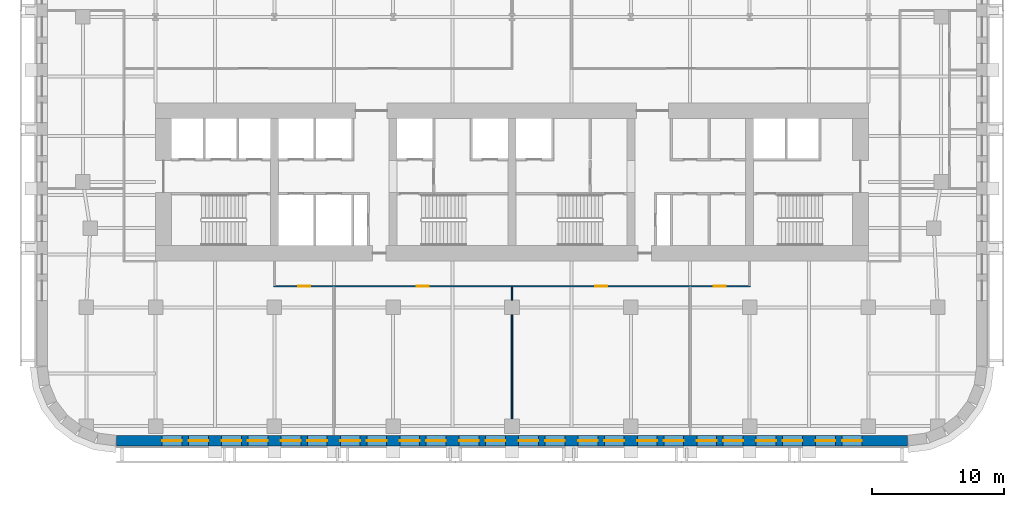
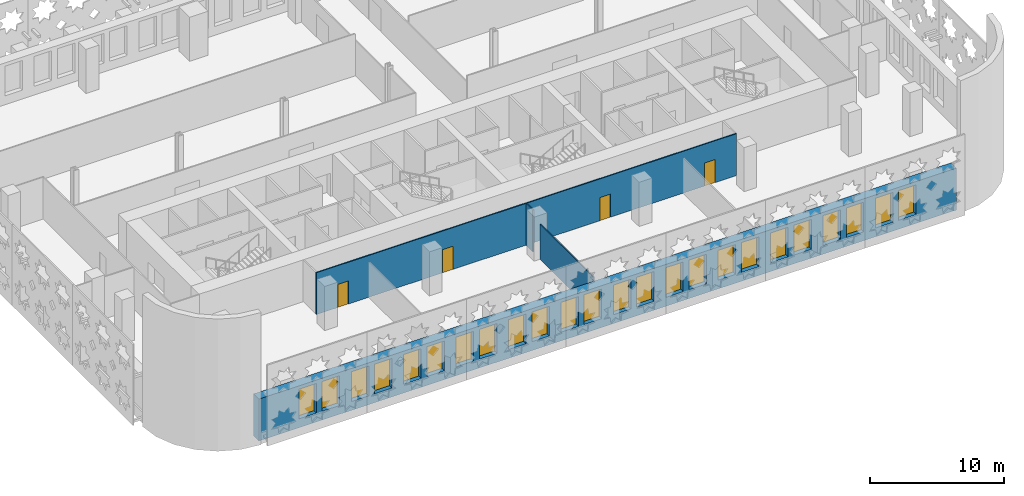
# One storey, part 5 of 15: 24 windows, 4 doors, 4 walls, 28 openings.
"""IFC4 building model written with IfcOpenShell, lengths in metres."""

from ifc_helpers import new_model, si_unit, direction, frame, frame_2d, origin, place, context, subcontext, project, spatial, rectangle, extrude, material, layer, layer_set, type_object, element, fill, save


model = new_model("IFC4")

# Units and contexts
model_context = context("Model", 3, precision=1e-05, world=origin(), true_north=direction((0.0, 1.0)))
body_context = subcontext(model_context, "Body", "Model", "MODEL_VIEW")
ifc_project = project(units=[si_unit("LENGTHUNIT", "METRE"), si_unit("AREAUNIT", "SQUARE_METRE"), si_unit("VOLUMEUNIT", "CUBIC_METRE"), si_unit("PLANEANGLEUNIT", "RADIAN"), si_unit("MASSUNIT", "GRAM", prefix="KILO")], contexts=[model_context])

# Site, building, storey
site_placement = place(None, origin())
site = spatial("IfcSite", under=ifc_project, at=site_placement, CompositionType="ELEMENT")
building_placement = place(site_placement, origin())
building = spatial("IfcBuilding", under=site, at=building_placement, Name="Zellij Exchange Tower", CompositionType="ELEMENT")
storey_placement = place(building_placement, frame((0.0, 0.0, 76.5)))
storey = spatial("IfcBuildingStorey", under=building, at=storey_placement, Name="L15", CompositionType="ELEMENT", Elevation=76.5)

# Wall, openings, windows
ifc_material_1 = material(Name="Precast concrete C40/50", Category="concrete")
ifc_layer_1 = layer(ifc_material_1, 0.800048828125)
ifc_layer_set_1 = layer_set([ifc_layer_1], Name="Precast concrete C40/50")
wall_type_1 = type_object("IfcWallType", Name="ENV-EW1 Precast stone-piered wall 800", PredefinedType="SOLIDWALL", material=ifc_layer_set_1)
wall_1_placement = place(storey_placement, frame((-29.947509765625, -27.60009765625, 0.0), z_axis=(0.0, 0.0, 1.0), x_axis=(1.0, 0.0, 0.0)))
wall_1 = element("IfcWall", 1, at=wall_1_placement, inside=storey, type_object=wall_type_1, Name="fac.L15.00", PredefinedType="SOLIDWALL", context=body_context, shape_type="SweptSolid", body=[
    extrude(rectangle(XDim=59.89501953125, YDim=0.800048828125, at=frame_2d((29.947509765625, 0.0))), origin(), (0.0, 0.0, 1.0), 3.800048828125),
])
opening_1_placement = place(wall_1_placement, frame((3.447509765625, 0.0, 0.800048828125)))
opening_1 = element("IfcOpeningElement", 2, at=opening_1_placement, cuts=wall_1, Name="Opening FZ1.01", PredefinedType="OPENING", context=body_context, shape_type="SweptSolid", body=[
    extrude(rectangle(XDim=1.5, YDim=2.699951171875, at=frame_2d((0.75, 1.35009765625))), frame((0.0, 0.412109375, 0.0), z_axis=(0.0, -1.0, 0.0), x_axis=(1.0, 0.0, 0.0)), (0.0, 0.0, 1.0), 0.823974609375),
])
opening_2_placement = place(wall_1_placement, frame((5.447509765625, 0.0, 0.800048828125)))
opening_2 = element("IfcOpeningElement", 3, at=opening_2_placement, cuts=wall_1, Name="Opening FZ1.02", PredefinedType="OPENING", context=body_context, shape_type="SweptSolid", body=[
    extrude(rectangle(XDim=1.5, YDim=2.699951171875, at=frame_2d((0.75, 1.35009765625))), frame((0.0, 0.412109375, 0.0), z_axis=(0.0, -1.0, 0.0), x_axis=(1.0, 0.0, 0.0)), (0.0, 0.0, 1.0), 0.823974609375),
])
opening_3_placement = place(wall_1_placement, frame((7.947509765625, 0.0, 0.800048828125)))
opening_3 = element("IfcOpeningElement", 4, at=opening_3_placement, cuts=wall_1, Name="Opening FZ1.03", PredefinedType="OPENING", context=body_context, shape_type="SweptSolid", body=[
    extrude(rectangle(XDim=1.5, YDim=2.699951171875, at=frame_2d((0.75, 1.35009765625))), frame((0.0, 0.412109375, 0.0), z_axis=(0.0, -1.0, 0.0), x_axis=(1.0, 0.0, 0.0)), (0.0, 0.0, 1.0), 0.823974609375),
])
opening_4_placement = place(wall_1_placement, frame((9.947509765625, 0.0, 0.800048828125)))
opening_4 = element("IfcOpeningElement", 5, at=opening_4_placement, cuts=wall_1, Name="Opening FZ1.04", PredefinedType="OPENING", context=body_context, shape_type="SweptSolid", body=[
    extrude(rectangle(XDim=1.5, YDim=2.699951171875, at=frame_2d((0.75, 1.35009765625))), frame((0.0, 0.412109375, 0.0), z_axis=(0.0, -1.0, 0.0), x_axis=(1.0, 0.0, 0.0)), (0.0, 0.0, 1.0), 0.823974609375),
])
opening_5_placement = place(wall_1_placement, frame((12.447509765625, 0.0, 0.800048828125)))
opening_5 = element("IfcOpeningElement", 6, at=opening_5_placement, cuts=wall_1, Name="Opening FZ1.05", PredefinedType="OPENING", context=body_context, shape_type="SweptSolid", body=[
    extrude(rectangle(XDim=1.5, YDim=2.699951171875, at=frame_2d((0.75, 1.35009765625))), frame((0.0, 0.412109375, 0.0), z_axis=(0.0, -1.0, 0.0), x_axis=(1.0, 0.0, 0.0)), (0.0, 0.0, 1.0), 0.823974609375),
])
opening_6_placement = place(wall_1_placement, frame((14.447509765625, 0.0, 0.800048828125)))
opening_6 = element("IfcOpeningElement", 7, at=opening_6_placement, cuts=wall_1, Name="Opening FZ1.06", PredefinedType="OPENING", context=body_context, shape_type="SweptSolid", body=[
    extrude(rectangle(XDim=1.5, YDim=2.699951171875, at=frame_2d((0.75, 1.35009765625))), frame((0.0, 0.412109375, 0.0), z_axis=(0.0, -1.0, 0.0), x_axis=(1.0, 0.0, 0.0)), (0.0, 0.0, 1.0), 0.823974609375),
])
opening_7_placement = place(wall_1_placement, frame((16.947509765625, 0.0, 0.800048828125)))
opening_7 = element("IfcOpeningElement", 8, at=opening_7_placement, cuts=wall_1, Name="Opening FZ1.07", PredefinedType="OPENING", context=body_context, shape_type="SweptSolid", body=[
    extrude(rectangle(XDim=1.5, YDim=2.699951171875, at=frame_2d((0.75, 1.35009765625))), frame((0.0, 0.412109375, 0.0), z_axis=(0.0, -1.0, 0.0), x_axis=(1.0, 0.0, 0.0)), (0.0, 0.0, 1.0), 0.823974609375),
])
opening_8_placement = place(wall_1_placement, frame((18.947509765625, 0.0, 0.800048828125)))
opening_8 = element("IfcOpeningElement", 9, at=opening_8_placement, cuts=wall_1, Name="Opening FZ1.08", PredefinedType="OPENING", context=body_context, shape_type="SweptSolid", body=[
    extrude(rectangle(XDim=1.5, YDim=2.699951171875, at=frame_2d((0.75, 1.35009765625))), frame((0.0, 0.412109375, 0.0), z_axis=(0.0, -1.0, 0.0), x_axis=(1.0, 0.0, 0.0)), (0.0, 0.0, 1.0), 0.823974609375),
])
opening_9_placement = place(wall_1_placement, frame((21.447509765625, 0.0, 0.800048828125)))
opening_9 = element("IfcOpeningElement", 10, at=opening_9_placement, cuts=wall_1, Name="Opening FZ1.09", PredefinedType="OPENING", context=body_context, shape_type="SweptSolid", body=[
    extrude(rectangle(XDim=1.5, YDim=2.699951171875, at=frame_2d((0.75, 1.35009765625))), frame((0.0, 0.412109375, 0.0), z_axis=(0.0, -1.0, 0.0), x_axis=(1.0, 0.0, 0.0)), (0.0, 0.0, 1.0), 0.823974609375),
])
opening_10_placement = place(wall_1_placement, frame((23.447509765625, 0.0, 0.800048828125)))
opening_10 = element("IfcOpeningElement", 11, at=opening_10_placement, cuts=wall_1, Name="Opening FZ1.10", PredefinedType="OPENING", context=body_context, shape_type="SweptSolid", body=[
    extrude(rectangle(XDim=1.5, YDim=2.699951171875, at=frame_2d((0.75, 1.35009765625))), frame((0.0, 0.412109375, 0.0), z_axis=(0.0, -1.0, 0.0), x_axis=(1.0, 0.0, 0.0)), (0.0, 0.0, 1.0), 0.823974609375),
])
opening_11_placement = place(wall_1_placement, frame((25.947509765625, 0.0, 0.800048828125)))
opening_11 = element("IfcOpeningElement", 12, at=opening_11_placement, cuts=wall_1, Name="Opening FZ1.11", PredefinedType="OPENING", context=body_context, shape_type="SweptSolid", body=[
    extrude(rectangle(XDim=1.5, YDim=2.699951171875, at=frame_2d((0.75, 1.35009765625))), frame((0.0, 0.412109375, 0.0), z_axis=(0.0, -1.0, 0.0), x_axis=(1.0, 0.0, 0.0)), (0.0, 0.0, 1.0), 0.823974609375),
])
opening_12_placement = place(wall_1_placement, frame((27.947509765625, 0.0, 0.800048828125)))
opening_12 = element("IfcOpeningElement", 13, at=opening_12_placement, cuts=wall_1, Name="Opening FZ1.12", PredefinedType="OPENING", context=body_context, shape_type="SweptSolid", body=[
    extrude(rectangle(XDim=1.5, YDim=2.699951171875, at=frame_2d((0.75, 1.35009765625))), frame((0.0, 0.412109375, 0.0), z_axis=(0.0, -1.0, 0.0), x_axis=(1.0, 0.0, 0.0)), (0.0, 0.0, 1.0), 0.823974609375),
])
opening_13_placement = place(wall_1_placement, frame((30.447509765625, 0.0, 0.800048828125)))
opening_13 = element("IfcOpeningElement", 14, at=opening_13_placement, cuts=wall_1, Name="Opening FZ1.13", PredefinedType="OPENING", context=body_context, shape_type="SweptSolid", body=[
    extrude(rectangle(XDim=1.5, YDim=2.699951171875, at=frame_2d((0.75, 1.35009765625))), frame((0.0, 0.412109375, 0.0), z_axis=(0.0, -1.0, 0.0), x_axis=(1.0, 0.0, 0.0)), (0.0, 0.0, 1.0), 0.823974609375),
])
opening_14_placement = place(wall_1_placement, frame((32.447509765625, 0.0, 0.800048828125)))
opening_14 = element("IfcOpeningElement", 15, at=opening_14_placement, cuts=wall_1, Name="Opening FZ1.14", PredefinedType="OPENING", context=body_context, shape_type="SweptSolid", body=[
    extrude(rectangle(XDim=1.5, YDim=2.699951171875, at=frame_2d((0.75, 1.35009765625))), frame((0.0, 0.412109375, 0.0), z_axis=(0.0, -1.0, 0.0), x_axis=(1.0, 0.0, 0.0)), (0.0, 0.0, 1.0), 0.823974609375),
])
opening_15_placement = place(wall_1_placement, frame((34.947509765625, 0.0, 0.800048828125)))
opening_15 = element("IfcOpeningElement", 16, at=opening_15_placement, cuts=wall_1, Name="Opening FZ1.15", PredefinedType="OPENING", context=body_context, shape_type="SweptSolid", body=[
    extrude(rectangle(XDim=1.5, YDim=2.699951171875, at=frame_2d((0.75, 1.35009765625))), frame((0.0, 0.412109375, 0.0), z_axis=(0.0, -1.0, 0.0), x_axis=(1.0, 0.0, 0.0)), (0.0, 0.0, 1.0), 0.823974609375),
])
opening_16_placement = place(wall_1_placement, frame((36.947509765625, 0.0, 0.800048828125)))
opening_16 = element("IfcOpeningElement", 17, at=opening_16_placement, cuts=wall_1, Name="Opening FZ1.16", PredefinedType="OPENING", context=body_context, shape_type="SweptSolid", body=[
    extrude(rectangle(XDim=1.5, YDim=2.699951171875, at=frame_2d((0.75, 1.35009765625))), frame((0.0, 0.412109375, 0.0), z_axis=(0.0, -1.0, 0.0), x_axis=(1.0, 0.0, 0.0)), (0.0, 0.0, 1.0), 0.823974609375),
])
opening_17_placement = place(wall_1_placement, frame((39.447509765625, 0.0, 0.800048828125)))
opening_17 = element("IfcOpeningElement", 18, at=opening_17_placement, cuts=wall_1, Name="Opening FZ1.17", PredefinedType="OPENING", context=body_context, shape_type="SweptSolid", body=[
    extrude(rectangle(XDim=1.5, YDim=2.699951171875, at=frame_2d((0.75, 1.35009765625))), frame((0.0, 0.412109375, 0.0), z_axis=(0.0, -1.0, 0.0), x_axis=(1.0, 0.0, 0.0)), (0.0, 0.0, 1.0), 0.823974609375),
])
opening_18_placement = place(wall_1_placement, frame((41.447509765625, 0.0, 0.800048828125)))
opening_18 = element("IfcOpeningElement", 19, at=opening_18_placement, cuts=wall_1, Name="Opening FZ1.18", PredefinedType="OPENING", context=body_context, shape_type="SweptSolid", body=[
    extrude(rectangle(XDim=1.5, YDim=2.699951171875, at=frame_2d((0.75, 1.35009765625))), frame((0.0, 0.412109375, 0.0), z_axis=(0.0, -1.0, 0.0), x_axis=(1.0, 0.0, 0.0)), (0.0, 0.0, 1.0), 0.823974609375),
])
opening_19_placement = place(wall_1_placement, frame((43.947509765625, 0.0, 0.800048828125)))
opening_19 = element("IfcOpeningElement", 20, at=opening_19_placement, cuts=wall_1, Name="Opening FZ1.19", PredefinedType="OPENING", context=body_context, shape_type="SweptSolid", body=[
    extrude(rectangle(XDim=1.5, YDim=2.699951171875, at=frame_2d((0.75, 1.35009765625))), frame((0.0, 0.412109375, 0.0), z_axis=(0.0, -1.0, 0.0), x_axis=(1.0, 0.0, 0.0)), (0.0, 0.0, 1.0), 0.823974609375),
])
opening_20_placement = place(wall_1_placement, frame((45.947509765625, 0.0, 0.800048828125)))
opening_20 = element("IfcOpeningElement", 21, at=opening_20_placement, cuts=wall_1, Name="Opening FZ1.20", PredefinedType="OPENING", context=body_context, shape_type="SweptSolid", body=[
    extrude(rectangle(XDim=1.5, YDim=2.699951171875, at=frame_2d((0.75, 1.35009765625))), frame((0.0, 0.412109375, 0.0), z_axis=(0.0, -1.0, 0.0), x_axis=(1.0, 0.0, 0.0)), (0.0, 0.0, 1.0), 0.823974609375),
])
opening_21_placement = place(wall_1_placement, frame((48.447509765625, 0.0, 0.800048828125)))
opening_21 = element("IfcOpeningElement", 22, at=opening_21_placement, cuts=wall_1, Name="Opening FZ1.21", PredefinedType="OPENING", context=body_context, shape_type="SweptSolid", body=[
    extrude(rectangle(XDim=1.5, YDim=2.699951171875, at=frame_2d((0.75, 1.35009765625))), frame((0.0, 0.412109375, 0.0), z_axis=(0.0, -1.0, 0.0), x_axis=(1.0, 0.0, 0.0)), (0.0, 0.0, 1.0), 0.823974609375),
])
opening_22_placement = place(wall_1_placement, frame((50.447509765625, 0.0, 0.800048828125)))
opening_22 = element("IfcOpeningElement", 23, at=opening_22_placement, cuts=wall_1, Name="Opening FZ1.22", PredefinedType="OPENING", context=body_context, shape_type="SweptSolid", body=[
    extrude(rectangle(XDim=1.5, YDim=2.699951171875, at=frame_2d((0.75, 1.35009765625))), frame((0.0, 0.412109375, 0.0), z_axis=(0.0, -1.0, 0.0), x_axis=(1.0, 0.0, 0.0)), (0.0, 0.0, 1.0), 0.823974609375),
])
opening_23_placement = place(wall_1_placement, frame((52.947509765625, 0.0, 0.800048828125)))
opening_23 = element("IfcOpeningElement", 24, at=opening_23_placement, cuts=wall_1, Name="Opening FZ1.23", PredefinedType="OPENING", context=body_context, shape_type="SweptSolid", body=[
    extrude(rectangle(XDim=1.5, YDim=2.699951171875, at=frame_2d((0.75, 1.35009765625))), frame((0.0, 0.412109375, 0.0), z_axis=(0.0, -1.0, 0.0), x_axis=(1.0, 0.0, 0.0)), (0.0, 0.0, 1.0), 0.823974609375),
])
opening_24_placement = place(wall_1_placement, frame((54.947509765625, 0.0, 0.800048828125)))
opening_24 = element("IfcOpeningElement", 25, at=opening_24_placement, cuts=wall_1, Name="Opening FZ1.24", PredefinedType="OPENING", context=body_context, shape_type="SweptSolid", body=[
    extrude(rectangle(XDim=1.5, YDim=2.699951171875, at=frame_2d((0.75, 1.35009765625))), frame((0.0, 0.412109375, 0.0), z_axis=(0.0, -1.0, 0.0), x_axis=(1.0, 0.0, 0.0)), (0.0, 0.0, 1.0), 0.823974609375),
])
ifc_material_2 = material(Name="Aluminium frame with insulating glass", Category="aluminium")
window_type = type_object("IfcWindowType", Name="ENV-W6 Window 1500x2700", PartitioningType="SINGLE_PANEL", PredefinedType="WINDOW", material=ifc_material_2)
window_1_placement = place(opening_1_placement, origin())
window_1 = element("IfcWindow", 26, at=window_1_placement, inside=storey, type_object=window_type, Name="Window FZ1.01", OverallHeight=2.699951171875, OverallWidth=1.5, PartitioningType="SINGLE_PANEL", PredefinedType="WINDOW", context=body_context, shape_type="SweptSolid", body=[
    extrude(rectangle(XDim=1.5, YDim=2.699951171875, at=frame_2d((0.75, 1.35009765625))), frame((0.0, 0.030029296875, 0.0), z_axis=(0.0, -1.0, 0.0), x_axis=(1.0, 0.0, 0.0)), (0.0, 0.0, 1.0), 0.06005859375),
])
fill(opening_1, window_1)
window_2_placement = place(opening_2_placement, origin())
window_2 = element("IfcWindow", 27, at=window_2_placement, inside=storey, type_object=window_type, Name="Window FZ1.02", OverallHeight=2.699951171875, OverallWidth=1.5, PartitioningType="SINGLE_PANEL", PredefinedType="WINDOW", context=body_context, shape_type="SweptSolid", body=[
    extrude(rectangle(XDim=1.5, YDim=2.699951171875, at=frame_2d((0.75, 1.35009765625))), frame((0.0, 0.030029296875, 0.0), z_axis=(0.0, -1.0, 0.0), x_axis=(1.0, 0.0, 0.0)), (0.0, 0.0, 1.0), 0.06005859375),
])
fill(opening_2, window_2)
window_3_placement = place(opening_3_placement, origin())
window_3 = element("IfcWindow", 28, at=window_3_placement, inside=storey, type_object=window_type, Name="Window FZ1.03", OverallHeight=2.699951171875, OverallWidth=1.5, PartitioningType="SINGLE_PANEL", PredefinedType="WINDOW", context=body_context, shape_type="SweptSolid", body=[
    extrude(rectangle(XDim=1.5, YDim=2.699951171875, at=frame_2d((0.75, 1.35009765625))), frame((0.0, 0.030029296875, 0.0), z_axis=(0.0, -1.0, 0.0), x_axis=(1.0, 0.0, 0.0)), (0.0, 0.0, 1.0), 0.06005859375),
])
fill(opening_3, window_3)
window_4_placement = place(opening_4_placement, origin())
window_4 = element("IfcWindow", 29, at=window_4_placement, inside=storey, type_object=window_type, Name="Window FZ1.04", OverallHeight=2.699951171875, OverallWidth=1.5, PartitioningType="SINGLE_PANEL", PredefinedType="WINDOW", context=body_context, shape_type="SweptSolid", body=[
    extrude(rectangle(XDim=1.5, YDim=2.699951171875, at=frame_2d((0.75, 1.35009765625))), frame((0.0, 0.030029296875, 0.0), z_axis=(0.0, -1.0, 0.0), x_axis=(1.0, 0.0, 0.0)), (0.0, 0.0, 1.0), 0.06005859375),
])
fill(opening_4, window_4)
window_5_placement = place(opening_5_placement, origin())
window_5 = element("IfcWindow", 30, at=window_5_placement, inside=storey, type_object=window_type, Name="Window FZ1.05", OverallHeight=2.699951171875, OverallWidth=1.5, PartitioningType="SINGLE_PANEL", PredefinedType="WINDOW", context=body_context, shape_type="SweptSolid", body=[
    extrude(rectangle(XDim=1.5, YDim=2.699951171875, at=frame_2d((0.75, 1.35009765625))), frame((0.0, 0.030029296875, 0.0), z_axis=(0.0, -1.0, 0.0), x_axis=(1.0, 0.0, 0.0)), (0.0, 0.0, 1.0), 0.06005859375),
])
fill(opening_5, window_5)
window_6_placement = place(opening_6_placement, origin())
window_6 = element("IfcWindow", 31, at=window_6_placement, inside=storey, type_object=window_type, Name="Window FZ1.06", OverallHeight=2.699951171875, OverallWidth=1.5, PartitioningType="SINGLE_PANEL", PredefinedType="WINDOW", context=body_context, shape_type="SweptSolid", body=[
    extrude(rectangle(XDim=1.5, YDim=2.699951171875, at=frame_2d((0.75, 1.35009765625))), frame((0.0, 0.030029296875, 0.0), z_axis=(0.0, -1.0, 0.0), x_axis=(1.0, 0.0, 0.0)), (0.0, 0.0, 1.0), 0.06005859375),
])
fill(opening_6, window_6)
window_7_placement = place(opening_7_placement, origin())
window_7 = element("IfcWindow", 32, at=window_7_placement, inside=storey, type_object=window_type, Name="Window FZ1.07", OverallHeight=2.699951171875, OverallWidth=1.5, PartitioningType="SINGLE_PANEL", PredefinedType="WINDOW", context=body_context, shape_type="SweptSolid", body=[
    extrude(rectangle(XDim=1.5, YDim=2.699951171875, at=frame_2d((0.75, 1.35009765625))), frame((0.0, 0.030029296875, 0.0), z_axis=(0.0, -1.0, 0.0), x_axis=(1.0, 0.0, 0.0)), (0.0, 0.0, 1.0), 0.06005859375),
])
fill(opening_7, window_7)
window_8_placement = place(opening_8_placement, origin())
window_8 = element("IfcWindow", 33, at=window_8_placement, inside=storey, type_object=window_type, Name="Window FZ1.08", OverallHeight=2.699951171875, OverallWidth=1.5, PartitioningType="SINGLE_PANEL", PredefinedType="WINDOW", context=body_context, shape_type="SweptSolid", body=[
    extrude(rectangle(XDim=1.5, YDim=2.699951171875, at=frame_2d((0.75, 1.35009765625))), frame((0.0, 0.030029296875, 0.0), z_axis=(0.0, -1.0, 0.0), x_axis=(1.0, 0.0, 0.0)), (0.0, 0.0, 1.0), 0.06005859375),
])
fill(opening_8, window_8)
window_9_placement = place(opening_9_placement, origin())
window_9 = element("IfcWindow", 34, at=window_9_placement, inside=storey, type_object=window_type, Name="Window FZ1.09", OverallHeight=2.699951171875, OverallWidth=1.5, PartitioningType="SINGLE_PANEL", PredefinedType="WINDOW", context=body_context, shape_type="SweptSolid", body=[
    extrude(rectangle(XDim=1.5, YDim=2.699951171875, at=frame_2d((0.75, 1.35009765625))), frame((0.0, 0.030029296875, 0.0), z_axis=(0.0, -1.0, 0.0), x_axis=(1.0, 0.0, 0.0)), (0.0, 0.0, 1.0), 0.06005859375),
])
fill(opening_9, window_9)
window_10_placement = place(opening_10_placement, origin())
window_10 = element("IfcWindow", 35, at=window_10_placement, inside=storey, type_object=window_type, Name="Window FZ1.10", OverallHeight=2.699951171875, OverallWidth=1.5, PartitioningType="SINGLE_PANEL", PredefinedType="WINDOW", context=body_context, shape_type="SweptSolid", body=[
    extrude(rectangle(XDim=1.5, YDim=2.699951171875, at=frame_2d((0.75, 1.35009765625))), frame((0.0, 0.030029296875, 0.0), z_axis=(0.0, -1.0, 0.0), x_axis=(1.0, 0.0, 0.0)), (0.0, 0.0, 1.0), 0.06005859375),
])
fill(opening_10, window_10)
window_11_placement = place(opening_11_placement, origin())
window_11 = element("IfcWindow", 36, at=window_11_placement, inside=storey, type_object=window_type, Name="Window FZ1.11", OverallHeight=2.699951171875, OverallWidth=1.5, PartitioningType="SINGLE_PANEL", PredefinedType="WINDOW", context=body_context, shape_type="SweptSolid", body=[
    extrude(rectangle(XDim=1.5, YDim=2.699951171875, at=frame_2d((0.75, 1.35009765625))), frame((0.0, 0.030029296875, 0.0), z_axis=(0.0, -1.0, 0.0), x_axis=(1.0, 0.0, 0.0)), (0.0, 0.0, 1.0), 0.06005859375),
])
fill(opening_11, window_11)
window_12_placement = place(opening_12_placement, origin())
window_12 = element("IfcWindow", 37, at=window_12_placement, inside=storey, type_object=window_type, Name="Window FZ1.12", OverallHeight=2.699951171875, OverallWidth=1.5, PartitioningType="SINGLE_PANEL", PredefinedType="WINDOW", context=body_context, shape_type="SweptSolid", body=[
    extrude(rectangle(XDim=1.5, YDim=2.699951171875, at=frame_2d((0.75, 1.35009765625))), frame((0.0, 0.030029296875, 0.0), z_axis=(0.0, -1.0, 0.0), x_axis=(1.0, 0.0, 0.0)), (0.0, 0.0, 1.0), 0.06005859375),
])
fill(opening_12, window_12)
window_13_placement = place(opening_13_placement, origin())
window_13 = element("IfcWindow", 38, at=window_13_placement, inside=storey, type_object=window_type, Name="Window FZ1.13", OverallHeight=2.699951171875, OverallWidth=1.5, PartitioningType="SINGLE_PANEL", PredefinedType="WINDOW", context=body_context, shape_type="SweptSolid", body=[
    extrude(rectangle(XDim=1.5, YDim=2.699951171875, at=frame_2d((0.75, 1.35009765625))), frame((0.0, 0.030029296875, 0.0), z_axis=(0.0, -1.0, 0.0), x_axis=(1.0, 0.0, 0.0)), (0.0, 0.0, 1.0), 0.06005859375),
])
fill(opening_13, window_13)
window_14_placement = place(opening_14_placement, origin())
window_14 = element("IfcWindow", 39, at=window_14_placement, inside=storey, type_object=window_type, Name="Window FZ1.14", OverallHeight=2.699951171875, OverallWidth=1.5, PartitioningType="SINGLE_PANEL", PredefinedType="WINDOW", context=body_context, shape_type="SweptSolid", body=[
    extrude(rectangle(XDim=1.5, YDim=2.699951171875, at=frame_2d((0.75, 1.35009765625))), frame((0.0, 0.030029296875, 0.0), z_axis=(0.0, -1.0, 0.0), x_axis=(1.0, 0.0, 0.0)), (0.0, 0.0, 1.0), 0.06005859375),
])
fill(opening_14, window_14)
window_15_placement = place(opening_15_placement, origin())
window_15 = element("IfcWindow", 40, at=window_15_placement, inside=storey, type_object=window_type, Name="Window FZ1.15", OverallHeight=2.699951171875, OverallWidth=1.5, PartitioningType="SINGLE_PANEL", PredefinedType="WINDOW", context=body_context, shape_type="SweptSolid", body=[
    extrude(rectangle(XDim=1.5, YDim=2.699951171875, at=frame_2d((0.75, 1.35009765625))), frame((0.0, 0.030029296875, 0.0), z_axis=(0.0, -1.0, 0.0), x_axis=(1.0, 0.0, 0.0)), (0.0, 0.0, 1.0), 0.06005859375),
])
fill(opening_15, window_15)
window_16_placement = place(opening_16_placement, origin())
window_16 = element("IfcWindow", 41, at=window_16_placement, inside=storey, type_object=window_type, Name="Window FZ1.16", OverallHeight=2.699951171875, OverallWidth=1.5, PartitioningType="SINGLE_PANEL", PredefinedType="WINDOW", context=body_context, shape_type="SweptSolid", body=[
    extrude(rectangle(XDim=1.5, YDim=2.699951171875, at=frame_2d((0.75, 1.35009765625))), frame((0.0, 0.030029296875, 0.0), z_axis=(0.0, -1.0, 0.0), x_axis=(1.0, 0.0, 0.0)), (0.0, 0.0, 1.0), 0.06005859375),
])
fill(opening_16, window_16)
window_17_placement = place(opening_17_placement, origin())
window_17 = element("IfcWindow", 42, at=window_17_placement, inside=storey, type_object=window_type, Name="Window FZ1.17", OverallHeight=2.699951171875, OverallWidth=1.5, PartitioningType="SINGLE_PANEL", PredefinedType="WINDOW", context=body_context, shape_type="SweptSolid", body=[
    extrude(rectangle(XDim=1.5, YDim=2.699951171875, at=frame_2d((0.75, 1.35009765625))), frame((0.0, 0.030029296875, 0.0), z_axis=(0.0, -1.0, 0.0), x_axis=(1.0, 0.0, 0.0)), (0.0, 0.0, 1.0), 0.06005859375),
])
fill(opening_17, window_17)
window_18_placement = place(opening_18_placement, origin())
window_18 = element("IfcWindow", 43, at=window_18_placement, inside=storey, type_object=window_type, Name="Window FZ1.18", OverallHeight=2.699951171875, OverallWidth=1.5, PartitioningType="SINGLE_PANEL", PredefinedType="WINDOW", context=body_context, shape_type="SweptSolid", body=[
    extrude(rectangle(XDim=1.5, YDim=2.699951171875, at=frame_2d((0.75, 1.35009765625))), frame((0.0, 0.030029296875, 0.0), z_axis=(0.0, -1.0, 0.0), x_axis=(1.0, 0.0, 0.0)), (0.0, 0.0, 1.0), 0.06005859375),
])
fill(opening_18, window_18)
window_19_placement = place(opening_19_placement, origin())
window_19 = element("IfcWindow", 44, at=window_19_placement, inside=storey, type_object=window_type, Name="Window FZ1.19", OverallHeight=2.699951171875, OverallWidth=1.5, PartitioningType="SINGLE_PANEL", PredefinedType="WINDOW", context=body_context, shape_type="SweptSolid", body=[
    extrude(rectangle(XDim=1.5, YDim=2.699951171875, at=frame_2d((0.75, 1.35009765625))), frame((0.0, 0.030029296875, 0.0), z_axis=(0.0, -1.0, 0.0), x_axis=(1.0, 0.0, 0.0)), (0.0, 0.0, 1.0), 0.06005859375),
])
fill(opening_19, window_19)
window_20_placement = place(opening_20_placement, origin())
window_20 = element("IfcWindow", 45, at=window_20_placement, inside=storey, type_object=window_type, Name="Window FZ1.20", OverallHeight=2.699951171875, OverallWidth=1.5, PartitioningType="SINGLE_PANEL", PredefinedType="WINDOW", context=body_context, shape_type="SweptSolid", body=[
    extrude(rectangle(XDim=1.5, YDim=2.699951171875, at=frame_2d((0.75, 1.35009765625))), frame((0.0, 0.030029296875, 0.0), z_axis=(0.0, -1.0, 0.0), x_axis=(1.0, 0.0, 0.0)), (0.0, 0.0, 1.0), 0.06005859375),
])
fill(opening_20, window_20)
window_21_placement = place(opening_21_placement, origin())
window_21 = element("IfcWindow", 46, at=window_21_placement, inside=storey, type_object=window_type, Name="Window FZ1.21", OverallHeight=2.699951171875, OverallWidth=1.5, PartitioningType="SINGLE_PANEL", PredefinedType="WINDOW", context=body_context, shape_type="SweptSolid", body=[
    extrude(rectangle(XDim=1.5, YDim=2.699951171875, at=frame_2d((0.75, 1.35009765625))), frame((0.0, 0.030029296875, 0.0), z_axis=(0.0, -1.0, 0.0), x_axis=(1.0, 0.0, 0.0)), (0.0, 0.0, 1.0), 0.06005859375),
])
fill(opening_21, window_21)
window_22_placement = place(opening_22_placement, origin())
window_22 = element("IfcWindow", 47, at=window_22_placement, inside=storey, type_object=window_type, Name="Window FZ1.22", OverallHeight=2.699951171875, OverallWidth=1.5, PartitioningType="SINGLE_PANEL", PredefinedType="WINDOW", context=body_context, shape_type="SweptSolid", body=[
    extrude(rectangle(XDim=1.5, YDim=2.699951171875, at=frame_2d((0.75, 1.35009765625))), frame((0.0, 0.030029296875, 0.0), z_axis=(0.0, -1.0, 0.0), x_axis=(1.0, 0.0, 0.0)), (0.0, 0.0, 1.0), 0.06005859375),
])
fill(opening_22, window_22)
window_23_placement = place(opening_23_placement, origin())
window_23 = element("IfcWindow", 48, at=window_23_placement, inside=storey, type_object=window_type, Name="Window FZ1.23", OverallHeight=2.699951171875, OverallWidth=1.5, PartitioningType="SINGLE_PANEL", PredefinedType="WINDOW", context=body_context, shape_type="SweptSolid", body=[
    extrude(rectangle(XDim=1.5, YDim=2.699951171875, at=frame_2d((0.75, 1.35009765625))), frame((0.0, 0.030029296875, 0.0), z_axis=(0.0, -1.0, 0.0), x_axis=(1.0, 0.0, 0.0)), (0.0, 0.0, 1.0), 0.06005859375),
])
fill(opening_23, window_23)
window_24_placement = place(opening_24_placement, origin())
window_24 = element("IfcWindow", 49, at=window_24_placement, inside=storey, type_object=window_type, Name="Window FZ1.24", OverallHeight=2.699951171875, OverallWidth=1.5, PartitioningType="SINGLE_PANEL", PredefinedType="WINDOW", context=body_context, shape_type="SweptSolid", body=[
    extrude(rectangle(XDim=1.5, YDim=2.699951171875, at=frame_2d((0.75, 1.35009765625))), frame((0.0, 0.030029296875, 0.0), z_axis=(0.0, -1.0, 0.0), x_axis=(1.0, 0.0, 0.0)), (0.0, 0.0, 1.0), 0.06005859375),
])
fill(opening_24, window_24)

# Walls
ifc_material_3 = material(Name="Gypsum board partition on steel studs", Category="steel")
ifc_layer_2 = layer(ifc_material_3, 0.10009765625)
ifc_layer_set_2 = layer_set([ifc_layer_2], Name="Gypsum board partition on steel studs")
wall_type_2 = type_object("IfcWallType", Name="FIT-PARTITION-100", PredefinedType="PARTITIONING", material=ifc_layer_set_2)
wall_2_placement = place(storey_placement, frame((0.0, -25.949951171875, 0.0), z_axis=(0.0, 0.0, 1.0), x_axis=(0.0, 1.0, 0.0)))
element("IfcWall", 50, at=wall_2_placement, inside=storey, type_object=wall_type_2, Name="FIT-PARTITION-100 003", PredefinedType="PARTITIONING", context=body_context, shape_type="SweptSolid", body=[
    extrude(rectangle(XDim=7.89990234375, YDim=0.10009765625, at=frame_2d((3.949951171875, 0.0))), origin(), (0.0, 0.0, 1.0), 3.18798828125),
])
wall_3_placement = place(storey_placement, frame((0.0, -16.949951171875, 0.0), z_axis=(0.0, 0.0, 1.0), x_axis=(0.0, 1.0, 0.0)))
element("IfcWall", 51, at=wall_3_placement, inside=storey, type_object=wall_type_2, Name="FIT-PARTITION-100 004", PredefinedType="PARTITIONING", context=body_context, shape_type="SweptSolid", body=[
    extrude(rectangle(XDim=1.0, YDim=0.10009765625, at=frame_2d((0.5, 0.0))), origin(), (0.0, 0.0, 1.0), 3.800048828125),
])

# Wall, openings, doors
wall_4_placement = place(storey_placement, frame((-18.050048828125, -15.89990234375, 0.0), z_axis=(0.0, 0.0, 1.0), x_axis=(1.0, 0.0, 0.0)))
wall_4 = element("IfcWall", 52, at=wall_4_placement, inside=storey, type_object=wall_type_2, Name="FIT-PARTITION-100 007", PredefinedType="PARTITIONING", context=body_context, shape_type="SweptSolid", body=[
    extrude(rectangle(XDim=36.10009765625, YDim=0.10009765625, at=frame_2d((18.050048828125, 0.0))), origin(), (0.0, 0.0, 1.0), 3.800048828125),
])
opening_25_placement = place(wall_4_placement, frame((1.85009765625, 0.0, 0.0)))
opening_25 = element("IfcOpeningElement", 53, at=opening_25_placement, cuts=wall_4, Name="Opening TC.01", PredefinedType="OPENING", context=body_context, shape_type="SweptSolid", body=[
    extrude(rectangle(XDim=0.89990234375, YDim=2.10009765625, at=frame_2d((0.449951171875, 1.050048828125))), frame((0.0, 0.06201171875, 0.0), z_axis=(0.0, -1.0, 0.0), x_axis=(1.0, 0.0, 0.0)), (0.0, 0.0, 1.0), 0.1240234375),
])
opening_26_placement = place(wall_4_placement, frame((10.85009765625, 0.0, 0.0)))
opening_26 = element("IfcOpeningElement", 54, at=opening_26_placement, cuts=wall_4, Name="Opening TC.02", PredefinedType="OPENING", context=body_context, shape_type="SweptSolid", body=[
    extrude(rectangle(XDim=0.89990234375, YDim=2.10009765625, at=frame_2d((0.449951171875, 1.050048828125))), frame((0.0, 0.06201171875, 0.0), z_axis=(0.0, -1.0, 0.0), x_axis=(1.0, 0.0, 0.0)), (0.0, 0.0, 1.0), 0.1240234375),
])
opening_27_placement = place(wall_4_placement, frame((24.35009765625, 0.0, 0.0)))
opening_27 = element("IfcOpeningElement", 55, at=opening_27_placement, cuts=wall_4, Name="Opening TC.03", PredefinedType="OPENING", context=body_context, shape_type="SweptSolid", body=[
    extrude(rectangle(XDim=0.89990234375, YDim=2.10009765625, at=frame_2d((0.449951171875, 1.050048828125))), frame((0.0, 0.06201171875, 0.0), z_axis=(0.0, -1.0, 0.0), x_axis=(1.0, 0.0, 0.0)), (0.0, 0.0, 1.0), 0.1240234375),
])
opening_28_placement = place(wall_4_placement, frame((33.35009765625, 0.0, 0.0)))
opening_28 = element("IfcOpeningElement", 56, at=opening_28_placement, cuts=wall_4, Name="Opening TC.04", PredefinedType="OPENING", context=body_context, shape_type="SweptSolid", body=[
    extrude(rectangle(XDim=0.89990234375, YDim=2.10009765625, at=frame_2d((0.449951171875, 1.050048828125))), frame((0.0, 0.06201171875, 0.0), z_axis=(0.0, -1.0, 0.0), x_axis=(1.0, 0.0, 0.0)), (0.0, 0.0, 1.0), 0.1240234375),
])
ifc_material_4 = material(Name="Timber door set", Category="wood")
door_type = type_object("IfcDoorType", Name="FIT-D1-ROOM-900X2100", OperationType="SINGLE_SWING_LEFT", PredefinedType="DOOR", material=ifc_material_4)
door_1_placement = place(opening_25_placement, origin())
door_1 = element("IfcDoor", 57, at=door_1_placement, inside=storey, type_object=door_type, Name="Door TC.01", OperationType="SINGLE_SWING_LEFT", OverallHeight=2.10009765625, OverallWidth=0.89990234375, PredefinedType="DOOR", context=body_context, shape_type="SweptSolid", body=[
    extrude(rectangle(XDim=0.89990234375, YDim=2.10009765625, at=frame_2d((0.449951171875, 1.050048828125))), frame((0.0, 0.02490234375, 0.0), z_axis=(0.0, -1.0, 0.0), x_axis=(1.0, 0.0, 0.0)), (0.0, 0.0, 1.0), 0.050048828125),
])
fill(opening_25, door_1)
door_2_placement = place(opening_26_placement, origin())
door_2 = element("IfcDoor", 58, at=door_2_placement, inside=storey, type_object=door_type, Name="Door TC.02", OperationType="SINGLE_SWING_LEFT", OverallHeight=2.10009765625, OverallWidth=0.89990234375, PredefinedType="DOOR", context=body_context, shape_type="SweptSolid", body=[
    extrude(rectangle(XDim=0.89990234375, YDim=2.10009765625, at=frame_2d((0.449951171875, 1.050048828125))), frame((0.0, 0.02490234375, 0.0), z_axis=(0.0, -1.0, 0.0), x_axis=(1.0, 0.0, 0.0)), (0.0, 0.0, 1.0), 0.050048828125),
])
fill(opening_26, door_2)
door_3_placement = place(opening_27_placement, origin())
door_3 = element("IfcDoor", 59, at=door_3_placement, inside=storey, type_object=door_type, Name="Door TC.03", OperationType="SINGLE_SWING_LEFT", OverallHeight=2.10009765625, OverallWidth=0.89990234375, PredefinedType="DOOR", context=body_context, shape_type="SweptSolid", body=[
    extrude(rectangle(XDim=0.89990234375, YDim=2.10009765625, at=frame_2d((0.449951171875, 1.050048828125))), frame((0.0, 0.02490234375, 0.0), z_axis=(0.0, -1.0, 0.0), x_axis=(1.0, 0.0, 0.0)), (0.0, 0.0, 1.0), 0.050048828125),
])
fill(opening_27, door_3)
door_4_placement = place(opening_28_placement, origin())
door_4 = element("IfcDoor", 60, at=door_4_placement, inside=storey, type_object=door_type, Name="Door TC.04", OperationType="SINGLE_SWING_LEFT", OverallHeight=2.10009765625, OverallWidth=0.89990234375, PredefinedType="DOOR", context=body_context, shape_type="SweptSolid", body=[
    extrude(rectangle(XDim=0.89990234375, YDim=2.10009765625, at=frame_2d((0.449951171875, 1.050048828125))), frame((0.0, 0.02490234375, 0.0), z_axis=(0.0, -1.0, 0.0), x_axis=(1.0, 0.0, 0.0)), (0.0, 0.0, 1.0), 0.050048828125),
])
fill(opening_28, door_4)

save(model, "model.ifc")
